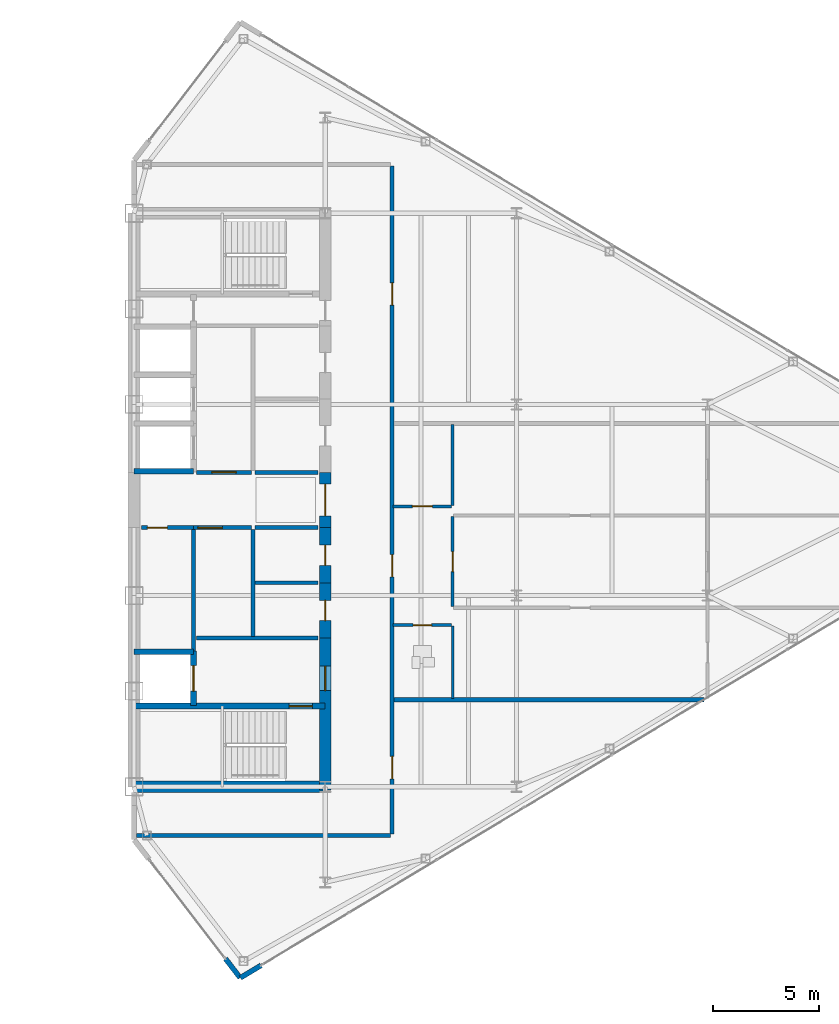
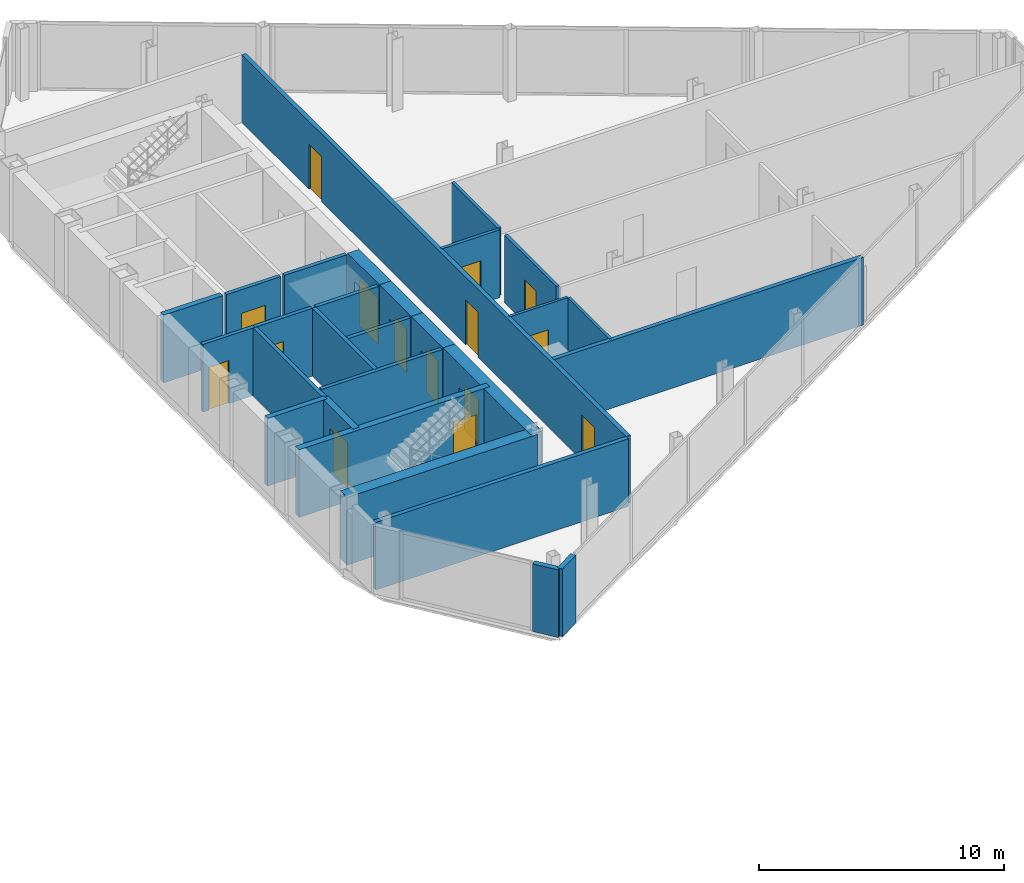
# One storey, part 21 of 25: 28 walls, 15 doors, 15 openings.
"""IFC4 building model written with IfcOpenShell, lengths in metres."""

from ifc_helpers import new_model, si_unit, direction, frame, frame_2d, origin, place, context, subcontext, project, spatial, rectangle, extrude, source, transform, mapped, material, layer, layer_set, type_object, type_shapes, element, fill, save


model = new_model("IFC4")

# Units and contexts
model_context = context("Model", 3, precision=1e-05, world=origin(), true_north=direction((0.0, 1.0)))
body_context = subcontext(model_context, "Body", "Model", "MODEL_VIEW")
ifc_project = project(units=[si_unit("LENGTHUNIT", "METRE"), si_unit("AREAUNIT", "SQUARE_METRE"), si_unit("VOLUMEUNIT", "CUBIC_METRE"), si_unit("PLANEANGLEUNIT", "RADIAN"), si_unit("MASSUNIT", "GRAM", prefix="KILO")], contexts=[model_context])

# Site, building, storey
site_placement = place(None, origin())
site = spatial("IfcSite", under=ifc_project, at=site_placement, CompositionType="ELEMENT")
building_placement = place(site_placement, origin())
building = spatial("IfcBuilding", under=site, at=building_placement, Name="Seokmaru Belvedere", CompositionType="ELEMENT")
storey_placement = place(building_placement, frame((0.0, 0.0, 206.699951171875)))
storey = spatial("IfcBuildingStorey", under=building, at=storey_placement, Name="L55", CompositionType="ELEMENT", Elevation=206.699951171875)

# Wall, opening, door
ifc_material_1 = material(Name="Fire-Rated Gypsum Shaftwall")
ifc_layer_1 = layer(ifc_material_1, 0.14990234375)
ifc_layer_set_1 = layer_set([ifc_layer_1], Name="Fire-Rated Gypsum Shaftwall")
wall_type_1 = type_object("IfcWallType", Name="Apartment Fire-Acoustic Room Partition 150", PredefinedType="PARTITIONING", material=ifc_layer_set_1)
wall_1_placement = place(storey_placement, frame((39.699951171875, -0.300048828125, 0.0), z_axis=(0.0, 0.0, 1.0), x_axis=(1.0, 0.0, 0.0)))
wall_1 = element("IfcWall", 1, at=wall_1_placement, inside=storey, type_object=wall_type_1, Name="L55 Interior Partition 012", PredefinedType="PARTITIONING", context=body_context, shape_type="SweptSolid", body=[
    extrude(rectangle(XDim=2.75, YDim=0.14990234375, at=frame_2d((1.375, 0.0))), origin(), (0.0, 0.0, 1.0), 3.380126953125),
])
opening_1_placement = place(wall_1_placement, frame((0.89990234375, 0.0, 0.0)))
opening_1 = element("IfcOpeningElement", 2, at=opening_1_placement, cuts=wall_1, Name="Opening D05", PredefinedType="OPENING", context=body_context, shape_type="SweptSolid", body=[
    extrude(rectangle(XDim=0.949951171875, YDim=2.14990234375, at=frame_2d((0.47509765625, 1.074951171875))), frame((0.0, 0.0849609375, 0.0), z_axis=(0.0, -1.0, 0.0), x_axis=(1.0, 0.0, 0.0)), (0.0, 0.0, 1.0), 0.169921875),
])
ifc_material_2 = material(Name="Engineered White Oak Timber", Category="wood")
door_type_1 = type_object("IfcDoorType", Name="Apartment Interior Fire-Rated Oak Door 950x2150", OperationType="NOTDEFINED", PredefinedType="DOOR", material=ifc_material_2)
shared_shape_1 = source(origin(), body_context, "Body", "SweptSolid", [
    extrude(rectangle(XDim=0.949951171875, YDim=2.14990234375, at=frame_2d((0.47509765625, 1.074951171875))), frame((0.0, 0.02490234375, 0.0), z_axis=(0.0, -1.0, 0.0), x_axis=(1.0, 0.0, 0.0)), (0.0, 0.0, 1.0), 0.050048828125),
])
type_shapes(door_type_1, [shared_shape_1])
door_1_placement = place(opening_1_placement, origin())
door_1 = element("IfcDoor", 3, at=door_1_placement, inside=storey, type_object=door_type_1, Name="L55 Interior Door 015", OperationType="SINGLE_SWING_RIGHT", OverallHeight=2.14990234375, OverallWidth=0.949951171875, PredefinedType="DOOR", context=body_context, shape_type="MappedRepresentation", body=[
    mapped(shared_shape_1, transform((0.0, 0.0, 0.0), scale=1.0)),
])
fill(opening_1, door_1)

wall_2_placement = place(storey_placement, frame((42.5, -5.01708984375, 0.0), z_axis=(0.0, 0.0, 1.0), x_axis=(0.0, 1.0, 0.0)))
wall_2 = element("IfcWall", 4, at=wall_2_placement, inside=storey, type_object=wall_type_1, Name="L55 Interior Partition 024", PredefinedType="PARTITIONING", context=body_context, shape_type="SweptSolid", body=[
    extrude(rectangle(XDim=4.234130859375, YDim=0.14990234375, at=frame_2d((2.1171875, 0.0))), origin(), (0.0, 0.0, 1.0), 3.380126953125),
])
opening_2_placement = place(wall_2_placement, frame((1.64208984375, 0.0, 0.0)))
opening_2 = element("IfcOpeningElement", 5, at=opening_2_placement, cuts=wall_2, Name="Opening D05", PredefinedType="OPENING", context=body_context, shape_type="SweptSolid", body=[
    extrude(rectangle(XDim=0.949951171875, YDim=2.14990234375, at=frame_2d((0.47509765625, 1.074951171875))), frame((0.0, 0.0849609375, 0.0), z_axis=(0.0, -1.0, 0.0), x_axis=(1.0, 0.0, 0.0)), (0.0, 0.0, 1.0), 0.169921875),
])
door_2_placement = place(opening_2_placement, origin())
door_2 = element("IfcDoor", 6, at=door_2_placement, inside=storey, type_object=door_type_1, Name="L55 Interior Door 016", OperationType="SINGLE_SWING_LEFT", OverallHeight=2.14990234375, OverallWidth=0.949951171875, PredefinedType="DOOR", context=body_context, shape_type="MappedRepresentation", body=[
    mapped(shared_shape_1, transform((0.0, 0.0, 0.0), scale=1.0)),
])
fill(opening_2, door_2)

# Walls
wall_3_placement = place(storey_placement, frame((42.5, -0.248046875, 0.0), z_axis=(0.0, 0.0, 1.0), x_axis=(0.0, 1.0, 0.0)))
element("IfcWall", 7, at=wall_3_placement, inside=storey, type_object=wall_type_1, Name="L55 Interior Partition 025", PredefinedType="PARTITIONING", context=body_context, shape_type="SweptSolid", body=[
    extrude(rectangle(XDim=3.798095703125, YDim=0.14990234375, at=frame_2d((1.89892578125, 0.0))), origin(), (0.0, 0.0, 1.0), 3.380126953125),
])
ifc_layer_2 = layer(ifc_material_1, 0.179931640625)
ifc_layer_set_2 = layer_set([ifc_layer_2], Name="Fire-Rated Gypsum Shaftwall")
wall_type_2 = type_object("IfcWallType", Name="Core Service Fire Partition 180", PredefinedType="PARTITIONING", material=ifc_layer_set_2)
wall_4_placement = place(storey_placement, frame((30.449951171875, -6.5, 0.0), z_axis=(0.0, 0.0, 1.0), x_axis=(1.0, 0.0, 0.0)))
element("IfcWall", 8, at=wall_4_placement, inside=storey, type_object=wall_type_2, Name="L55 East Firefighting Lobby Partition", PredefinedType="PARTITIONING", context=body_context, shape_type="SweptSolid", body=[
    extrude(rectangle(XDim=5.699951171875, YDim=0.179931640625, at=frame_2d((2.85009765625, 0.0))), origin(), (0.0, 0.0, 1.0), 3.380126953125),
])
wall_5_placement = place(storey_placement, frame((33.10009765625, -6.419921875, 0.0), z_axis=(0.0, 0.0, 1.0), x_axis=(0.0, 1.0, 0.0)))
element("IfcWall", 9, at=wall_5_placement, inside=storey, type_object=wall_type_2, Name="L55 East South Core Service Back Wall", PredefinedType="PARTITIONING", context=body_context, shape_type="SweptSolid", body=[
    extrude(rectangle(XDim=5.0400390625, YDim=0.179931640625, at=frame_2d((2.52001953125, 0.0))), origin(), (0.0, 0.0, 1.0), 3.380126953125),
])

# Wall, opening, door
wall_6_placement = place(storey_placement, frame((27.85009765625, -1.300048828125, 0.0), z_axis=(0.0, 0.0, 1.0), x_axis=(1.0, 0.0, 0.0)))
wall_6 = element("IfcWall", 10, at=wall_6_placement, inside=storey, type_object=wall_type_2, Name="L55 East South Parcel Vault Foyer Wall", PredefinedType="PARTITIONING", context=body_context, shape_type="SweptSolid", body=[
    extrude(rectangle(XDim=2.449951171875, YDim=0.179931640625, at=frame_2d((1.22509765625, 0.0))), origin(), (0.0, 0.0, 1.0), 3.380126953125),
])
opening_3_placement = place(wall_6_placement, frame((0.27490234375, 0.0, 0.0)))
opening_3 = element("IfcOpeningElement", 11, at=opening_3_placement, cuts=wall_6, Name="Opening D04", PredefinedType="OPENING", context=body_context, shape_type="SweptSolid", body=[
    extrude(rectangle(XDim=0.949951171875, YDim=2.14990234375, at=frame_2d((0.47509765625, 1.074951171875))), frame((0.0, 0.10009765625, 0.0), z_axis=(0.0, -1.0, 0.0), x_axis=(1.0, 0.0, 0.0)), (0.0, 0.0, 1.0), 0.199951171875),
])
ifc_material_3 = material(Name="Fire-Rated Steel Leaf", Category="steel")
door_type_2 = type_object("IfcDoorType", Name="Core Service Room Fire Door 950x2150", OperationType="NOTDEFINED", PredefinedType="DOOR", material=ifc_material_3)
shared_shape_2 = source(origin(), body_context, "Body", "SweptSolid", [
    extrude(rectangle(XDim=0.949951171875, YDim=2.14990234375, at=frame_2d((0.47509765625, 1.074951171875))), frame((0.0, 0.02490234375, 0.0), z_axis=(0.0, -1.0, 0.0), x_axis=(1.0, 0.0, 0.0)), (0.0, 0.0, 1.0), 0.050048828125),
])
type_shapes(door_type_2, [shared_shape_2])
door_3_placement = place(opening_3_placement, origin())
door_3 = element("IfcDoor", 12, at=door_3_placement, inside=storey, type_object=door_type_2, Name="L55 East South Parcel Vault Door", OperationType="SINGLE_SWING_RIGHT", OverallHeight=2.14990234375, OverallWidth=0.949951171875, PredefinedType="DOOR", context=body_context, shape_type="MappedRepresentation", body=[
    mapped(shared_shape_2, transform((0.0, 0.0, 0.0), scale=1.0)),
])
fill(opening_3, door_3)

wall_7_placement = place(storey_placement, frame((30.300048828125, -1.300048828125, 0.0), z_axis=(0.0, 0.0, 1.0), x_axis=(1.0, 0.0, 0.0)))
wall_7 = element("IfcWall", 13, at=wall_7_placement, inside=storey, type_object=wall_type_2, Name="L55 East South Wine Cellar Foyer Wall", PredefinedType="PARTITIONING", context=body_context, shape_type="SweptSolid", body=[
    extrude(rectangle(XDim=2.719970703125, YDim=0.179931640625, at=frame_2d((1.35986328125, 0.0))), origin(), (0.0, 0.0, 1.0), 3.380126953125),
])
opening_4_placement = place(wall_7_placement, frame((0.2099609375, 0.0, 0.0)))
opening_4 = element("IfcOpeningElement", 14, at=opening_4_placement, cuts=wall_7, Name="Opening D02", PredefinedType="OPENING", context=body_context, shape_type="SweptSolid", body=[
    extrude(rectangle(XDim=1.14990234375, YDim=2.199951171875, at=frame_2d((0.574951171875, 1.10009765625))), frame((0.0, 0.10009765625, 0.0), z_axis=(0.0, -1.0, 0.0), x_axis=(1.0, 0.0, 0.0)), (0.0, 0.0, 1.0), 0.199951171875),
])
door_type_3 = type_object("IfcDoorType", Name="Lobby and Vestibule Fire Door 1150x2200", OperationType="NOTDEFINED", PredefinedType="DOOR", material=ifc_material_3)
shared_shape_3 = source(origin(), body_context, "Body", "SweptSolid", [
    extrude(rectangle(XDim=1.14990234375, YDim=2.199951171875, at=frame_2d((0.574951171875, 1.10009765625))), frame((0.0, 0.02490234375, 0.0), z_axis=(0.0, -1.0, 0.0), x_axis=(1.0, 0.0, 0.0)), (0.0, 0.0, 1.0), 0.050048828125),
])
type_shapes(door_type_3, [shared_shape_3])
door_4_placement = place(opening_4_placement, origin())
door_4 = element("IfcDoor", 15, at=door_4_placement, inside=storey, type_object=door_type_3, Name="L55 East South Core Foyer Door", OperationType="SINGLE_SWING_RIGHT", OverallHeight=2.199951171875, OverallWidth=1.14990234375, PredefinedType="DOOR", context=body_context, shape_type="MappedRepresentation", body=[
    mapped(shared_shape_3, transform((0.0, 0.0, 0.0), scale=1.0)),
])
fill(opening_4, door_4)

# Wall
wall_8_placement = place(storey_placement, frame((30.300048828125, -7.1201171875, 0.0), z_axis=(0.0, 0.0, 1.0), x_axis=(0.0, 1.0, 0.0)))
element("IfcWall", 16, at=wall_8_placement, inside=storey, type_object=wall_type_2, Name="L55 East Freed Shaft Vault Partition", PredefinedType="PARTITIONING", context=body_context, shape_type="SweptSolid", body=[
    extrude(rectangle(XDim=5.740234375, YDim=0.179931640625, at=frame_2d((2.8701171875, 0.0))), origin(), (0.0, 0.0, 1.0), 3.380126953125),
])

# Wall, opening, door
wall_9_placement = place(storey_placement, frame((30.449951171875, 1.300048828125, 0.0), z_axis=(0.0, 0.0, 1.0), x_axis=(1.0, 0.0, 0.0)))
wall_9 = element("IfcWall", 17, at=wall_9_placement, inside=storey, type_object=wall_type_2, Name="L55 East North Lift Lobby Foyer Wall", PredefinedType="PARTITIONING", context=body_context, shape_type="SweptSolid", body=[
    extrude(rectangle(XDim=2.570068359375, YDim=0.179931640625, at=frame_2d((1.28515625, 0.0))), origin(), (0.0, 0.0, 1.0), 3.380126953125),
])
opening_5_placement = place(wall_9_placement, frame((0.7099609375, 0.0, 0.0)))
opening_5 = element("IfcOpeningElement", 18, at=opening_5_placement, cuts=wall_9, Name="Opening D02", PredefinedType="OPENING", context=body_context, shape_type="SweptSolid", body=[
    extrude(rectangle(XDim=1.14990234375, YDim=2.199951171875, at=frame_2d((0.574951171875, 1.10009765625))), frame((0.0, 0.10009765625, 0.0), z_axis=(0.0, -1.0, 0.0), x_axis=(1.0, 0.0, 0.0)), (0.0, 0.0, 1.0), 0.199951171875),
])
door_5_placement = place(opening_5_placement, origin())
door_5 = element("IfcDoor", 19, at=door_5_placement, inside=storey, type_object=door_type_3, Name="L55 East North Lift Lobby Door", OperationType="SINGLE_SWING_LEFT", OverallHeight=2.199951171875, OverallWidth=1.14990234375, PredefinedType="DOOR", context=body_context, shape_type="MappedRepresentation", body=[
    mapped(shared_shape_3, transform((0.0, 0.0, 0.0), scale=1.0)),
])
fill(opening_5, door_5)

# Walls
for number, where, z_axis, x_axis, name in (
    (20, (33.199951171875, -1.300048828125, 0.0), (0.0, 0.0, 1.0), (1.0, 0.0, 0.0), "L55 East Foyer Side Wall S"),
    (21, (33.199951171875, 1.300048828125, 0.0), (0.0, 0.0, 1.0), (1.0, 0.0, 0.0), "L55 East Foyer Side Wall N"),
    (22, (33.199951171875, -3.89990234375, 0.0), (0.0, 0.0, 1.0), (1.0, 0.0, 0.0), "L55 East Core Service Partition 1"),
):
    element("IfcWall", number, at=place(storey_placement, frame(where, z_axis=z_axis, x_axis=x_axis)), inside=storey, type_object=wall_type_2, Name=name, PredefinedType="PARTITIONING", context=body_context, shape_type="SweptSolid", body=[
        extrude(rectangle(XDim=2.949951171875, YDim=0.179931640625, at=frame_2d((1.47509765625, 0.0))), origin(), (0.0, 0.0, 1.0), 3.380126953125),
    ])
ifc_material_4 = material(Name="Concrete C50 (50 MPa)", Category="concrete")
ifc_layer_3 = layer(ifc_material_4, 0.25)
ifc_layer_set_3 = layer_set([ifc_layer_3], Name="Concrete C50 (50 MPa)")
wall_type_3 = type_object("IfcWallType", Name="Hoistway Transverse Concrete Divider Wall 250", PredefinedType="SHEAR", material=ifc_layer_set_3)
for number, where, z_axis, x_axis, name in (
    (23, (27.5, -7.14990234375, 0.0), (0.0, 0.0, 1.0), (1.0, 0.0, 0.0), "L55 East Hoistway Divider Core Wall 1"),
    (24, (27.5, 1.35009765625, 0.0), (0.0, 0.0, 1.0), (1.0, 0.0, 0.0), "L55 East Hoistway Divider Core Wall 2"),
):
    element("IfcWall", number, at=place(storey_placement, frame(where, z_axis=z_axis, x_axis=x_axis)), inside=storey, type_object=wall_type_3, Name=name, PredefinedType="SHEAR", context=body_context, shape_type="SweptSolid", body=[
        extrude(rectangle(XDim=2.800048828125, YDim=0.25, at=frame_2d((1.39990234375, 0.0))), origin(), (0.0, 0.0, 1.0), 3.380126953125),
    ])
ifc_layer_4 = layer(ifc_material_1, 0.199951171875)
ifc_layer_set_4 = layer_set([ifc_layer_4], Name="Fire-Rated Gypsum Shaftwall")
wall_type_4 = type_object("IfcWallType", Name="Inter-Tenancy Fire Compartment Partition 200", PredefinedType="PARTITIONING", material=ifc_layer_set_4)
wall_10_placement = place(storey_placement, frame((27.625, -15.800048828125, 0.0), z_axis=(0.0, 0.0, 1.0), x_axis=(1.0, 0.0, 0.0)))
element("IfcWall", 25, at=wall_10_placement, inside=storey, type_object=wall_type_4, Name="L55 Interior Partition 002", PredefinedType="PARTITIONING", context=body_context, shape_type="SweptSolid", body=[
    extrude(rectangle(XDim=11.93994140625, YDim=0.199951171875, at=frame_2d((5.969970703125, 0.0))), origin(), (0.0, 0.0, 1.0), 3.380126953125),
])
wall_11_placement = place(storey_placement, frame((39.72998046875, -9.39990234375, 0.0), z_axis=(0.0, 0.0, 1.0), x_axis=(1.0, 0.0, 0.0)))
element("IfcWall", 26, at=wall_11_placement, inside=storey, type_object=wall_type_4, Name="L55 Interior Partition 004", PredefinedType="PARTITIONING", context=body_context, shape_type="SweptSolid", body=[
    extrude(rectangle(XDim=14.613037109375, YDim=0.199951171875, at=frame_2d((7.306640625, 0.0))), origin(), (0.0, 0.0, 1.0), 3.380126953125),
])

# Wall, openings, doors
wall_12_placement = place(storey_placement, frame((39.64990234375, -15.715087890625, 0.0), z_axis=(0.0, 0.0, 1.0), x_axis=(0.0, 1.0, 0.0)))
wall_12 = element("IfcWall", 27, at=wall_12_placement, inside=storey, type_object=wall_type_4, Name="L55 Interior Partition 022", PredefinedType="PARTITIONING", context=body_context, shape_type="SweptSolid", body=[
    extrude(rectangle(XDim=31.43017578125, YDim=0.199951171875, at=frame_2d((15.715087890625, 0.0))), origin(), (0.0, 0.0, 1.0), 3.380126953125),
])
opening_6_placement = place(wall_12_placement, frame((2.590087890625, 0.0, 0.0)))
opening_6 = element("IfcOpeningElement", 28, at=opening_6_placement, cuts=wall_12, Name="Opening D03", PredefinedType="OPENING", context=body_context, shape_type="SweptSolid", body=[
    extrude(rectangle(XDim=1.050048828125, YDim=2.25, at=frame_2d((0.52490234375, 1.125))), frame((0.0, 0.10986328125, 0.0), z_axis=(0.0, -1.0, 0.0), x_axis=(1.0, 0.0, 0.0)), (0.0, 0.0, 1.0), 0.219970703125),
])
opening_7_placement = place(wall_12_placement, frame((12.094970703125, 0.0, 0.0)))
opening_7 = element("IfcOpeningElement", 29, at=opening_7_placement, cuts=wall_12, Name="Opening D03", PredefinedType="OPENING", context=body_context, shape_type="SweptSolid", body=[
    extrude(rectangle(XDim=1.050048828125, YDim=2.25, at=frame_2d((0.52490234375, 1.125))), frame((0.0, 0.10986328125, 0.0), z_axis=(0.0, -1.0, 0.0), x_axis=(1.0, 0.0, 0.0)), (0.0, 0.0, 1.0), 0.219970703125),
])
opening_8_placement = place(wall_12_placement, frame((24.889892578125, 0.0, 0.0)))
opening_8 = element("IfcOpeningElement", 30, at=opening_8_placement, cuts=wall_12, Name="Opening D03", PredefinedType="OPENING", context=body_context, shape_type="SweptSolid", body=[
    extrude(rectangle(XDim=1.050048828125, YDim=2.25, at=frame_2d((0.52490234375, 1.125))), frame((0.0, 0.10986328125, 0.0), z_axis=(0.0, -1.0, 0.0), x_axis=(1.0, 0.0, 0.0)), (0.0, 0.0, 1.0), 0.219970703125),
])
door_type_4 = type_object("IfcDoorType", Name="Apartment Entrance Fire Door 1050x2250", OperationType="NOTDEFINED", PredefinedType="DOOR", material=ifc_material_3)
shared_shape_4 = source(origin(), body_context, "Body", "SweptSolid", [
    extrude(rectangle(XDim=1.050048828125, YDim=2.25, at=frame_2d((0.52490234375, 1.125))), frame((0.0, 0.02490234375, 0.0), z_axis=(0.0, -1.0, 0.0), x_axis=(1.0, 0.0, 0.0)), (0.0, 0.0, 1.0), 0.050048828125),
])
type_shapes(door_type_4, [shared_shape_4])
door_6_placement = place(opening_6_placement, origin())
door_6 = element("IfcDoor", 31, at=door_6_placement, inside=storey, type_object=door_type_4, Name="L55 Interior Door 012", OperationType="SINGLE_SWING_LEFT", OverallHeight=2.25, OverallWidth=1.050048828125, PredefinedType="DOOR", context=body_context, shape_type="MappedRepresentation", body=[
    mapped(shared_shape_4, transform((0.0, 0.0, 0.0), scale=1.0)),
])
fill(opening_6, door_6)
door_7_placement = place(opening_7_placement, origin())
door_7 = element("IfcDoor", 32, at=door_7_placement, inside=storey, type_object=door_type_4, Name="L55 Interior Door 013", OperationType="SINGLE_SWING_RIGHT", OverallHeight=2.25, OverallWidth=1.050048828125, PredefinedType="DOOR", context=body_context, shape_type="MappedRepresentation", body=[
    mapped(shared_shape_4, transform((0.0, 0.0, 0.0), scale=1.0)),
])
fill(opening_7, door_7)
door_8_placement = place(opening_8_placement, origin())
door_8 = element("IfcDoor", 33, at=door_8_placement, inside=storey, type_object=door_type_4, Name="L55 Interior Door 022", OperationType="SINGLE_SWING_LEFT", OverallHeight=2.25, OverallWidth=1.050048828125, PredefinedType="DOOR", context=body_context, shape_type="MappedRepresentation", body=[
    mapped(shared_shape_4, transform((0.0, 0.0, 0.0), scale=1.0)),
])
fill(opening_8, door_8)

# Wall, opening, door
ifc_layer_5 = layer(ifc_material_4, 0.300048828125)
ifc_layer_set_5 = layer_set([ifc_layer_5], Name="Concrete C50 (50 MPa)")
wall_type_5 = type_object("IfcWallType", Name="Internal Core Stair and Hoistway Wall 300", PredefinedType="SHEAR", material=ifc_layer_set_5)
wall_13_placement = place(storey_placement, frame((27.5, -9.699951171875, 0.0), z_axis=(0.0, 0.0, 1.0), x_axis=(1.0, 0.0, 0.0)))
wall_13 = element("IfcWall", 34, at=wall_13_placement, inside=storey, type_object=wall_type_5, Name="L55 East Stair ST-1 Enclosure Wall", PredefinedType="SHEAR", context=body_context, shape_type="SweptSolid", body=[
    extrude(rectangle(XDim=9.0, YDim=0.300048828125, at=frame_2d((4.5, 0.0))), origin(), (0.0, 0.0, 1.0), 3.380126953125),
])
opening_9_placement = place(wall_13_placement, frame((7.300048828125, 0.0, 0.0)))
opening_9 = element("IfcOpeningElement", 35, at=opening_9_placement, cuts=wall_13, Name="Opening D01", PredefinedType="OPENING", context=body_context, shape_type="SweptSolid", body=[
    extrude(rectangle(XDim=1.10009765625, YDim=2.199951171875, at=frame_2d((0.550048828125, 1.10009765625))), frame((0.0, 0.16015625, 0.0), z_axis=(0.0, -1.0, 0.0), x_axis=(1.0, 0.0, 0.0)), (0.0, 0.0, 1.0), 0.320068359375),
])
door_type_5 = type_object("IfcDoorType", Name="Special Escape Stair Smokeproof Fire Door 1100x2200", OperationType="NOTDEFINED", PredefinedType="DOOR", material=ifc_material_3)
shared_shape_5 = source(origin(), body_context, "Body", "SweptSolid", [
    extrude(rectangle(XDim=1.10009765625, YDim=2.199951171875, at=frame_2d((0.550048828125, 1.10009765625))), frame((0.0, 0.02490234375, 0.0), z_axis=(0.0, -1.0, 0.0), x_axis=(1.0, 0.0, 0.0)), (0.0, 0.0, 1.0), 0.050048828125),
])
type_shapes(door_type_5, [shared_shape_5])
door_9_placement = place(opening_9_placement, frame((1.10009765625, 0.0, 0.0), z_axis=(0.0, 0.0, 1.0), x_axis=(-1.0, 0.0, 0.0)))
door_9 = element("IfcDoor", 36, at=door_9_placement, inside=storey, type_object=door_type_5, Name="L55 East Special Escape Stair ST-1 Door", OperationType="SINGLE_SWING_RIGHT", OverallHeight=2.199951171875, OverallWidth=1.10009765625, PredefinedType="DOOR", context=body_context, shape_type="MappedRepresentation", body=[
    mapped(shared_shape_5, transform((0.0, 0.0, 0.0), scale=1.0)),
])
fill(opening_9, door_9)

wall_14_placement = place(storey_placement, frame((30.300048828125, -9.679931640625, 0.0), z_axis=(0.0, 0.0, 1.0), x_axis=(0.0, 1.0, 0.0)))
wall_14 = element("IfcWall", 37, at=wall_14_placement, inside=storey, type_object=wall_type_5, Name="L55 East Firefighting Lift Shaft Front Wall", PredefinedType="SHEAR", context=body_context, shape_type="SweptSolid", body=[
    extrude(rectangle(XDim=2.559814453125, YDim=0.300048828125, at=frame_2d((1.27978515625, 0.0))), origin(), (0.0, 0.0, 1.0), 3.380126953125),
])
opening_10_placement = place(wall_14_placement, frame((0.679931640625, 0.0, 0.0)))
opening_10 = element("IfcOpeningElement", 38, at=opening_10_placement, cuts=wall_14, Name="Opening LD2", PredefinedType="OPENING", context=body_context, shape_type="SweptSolid", body=[
    extrude(rectangle(XDim=1.199951171875, YDim=2.25, at=frame_2d((0.60009765625, 1.125))), frame((0.0, 0.16015625, 0.0), z_axis=(0.0, -1.0, 0.0), x_axis=(1.0, 0.0, 0.0)), (0.0, 0.0, 1.0), 0.320068359375),
])
ifc_material_5 = material(Name="Stainless Steel 316", Category="steel")
door_type_6 = type_object("IfcDoorType", Name="Firefighting Lift Sliding Landing Door 1200x2250", OperationType="DOUBLE_DOOR_SLIDING", PredefinedType="DOOR", material=ifc_material_5)
shared_shape_6 = source(origin(), body_context, "Body", "SweptSolid", [
    extrude(rectangle(XDim=1.199951171875, YDim=2.25, at=frame_2d((0.60009765625, 1.125))), frame((0.0, 0.02490234375, 0.0), z_axis=(0.0, -1.0, 0.0), x_axis=(1.0, 0.0, 0.0)), (0.0, 0.0, 1.0), 0.050048828125),
])
type_shapes(door_type_6, [shared_shape_6])
door_10_placement = place(opening_10_placement, origin())
door_10 = element("IfcDoor", 39, at=door_10_placement, inside=storey, type_object=door_type_6, Name="L55 East Firefighting Lift Landing Door", OperationType="DOUBLE_DOOR_SLIDING", OverallHeight=2.25, OverallWidth=1.199951171875, PredefinedType="DOOR", context=body_context, shape_type="MappedRepresentation", body=[
    mapped(shared_shape_6, transform((0.0, 0.0, 0.0), scale=1.0)),
])
fill(opening_10, door_10)

# Wall
ifc_layer_6 = layer(ifc_material_4, 0.550048828125)
ifc_layer_set_6 = layer_set([ifc_layer_6], Name="Concrete C50 (50 MPa)")
wall_type_6 = type_object("IfcWallType", Name="Mid-High Reinforced Concrete Core Wall 550", PredefinedType="SHEAR", material=ifc_layer_set_6)
wall_15_placement = place(storey_placement, frame((27.5, -13.5, 0.0), z_axis=(0.0, 0.0, 1.0), x_axis=(1.0, 0.0, 0.0)))
element("IfcWall", 40, at=wall_15_placement, inside=storey, type_object=wall_type_6, Name="L55 East South Core Wall", PredefinedType="SHEAR", context=body_context, shape_type="SweptSolid", body=[
    extrude(rectangle(XDim=9.0, YDim=0.550048828125, at=frame_2d((4.5, 0.0))), origin(), (0.0, 0.0, 1.0), 3.380126953125),
])

# Wall, opening, door
wall_16_placement = place(storey_placement, frame((36.5, -13.64990234375, 0.0), z_axis=(0.0, 0.0, 1.0), x_axis=(0.0, 1.0, 0.0)))
wall_16 = element("IfcWall", 41, at=wall_16_placement, inside=storey, type_object=wall_type_6, Name="L55 East West Core Wall FF", PredefinedType="SHEAR", context=body_context, shape_type="SweptSolid", body=[
    extrude(rectangle(XDim=7.14990234375, YDim=0.550048828125, at=frame_2d((3.574951171875, 0.0))), origin(), (0.0, 0.0, 1.0), 3.380126953125),
])
opening_11_placement = place(wall_16_placement, frame((4.675048828125, 0.0, 0.0)))
opening_11 = element("IfcOpeningElement", 42, at=opening_11_placement, cuts=wall_16, Name="Opening D02", PredefinedType="OPENING", context=body_context, shape_type="SweptSolid", body=[
    extrude(rectangle(XDim=1.14990234375, YDim=2.199951171875, at=frame_2d((0.574951171875, 1.10009765625))), frame((0.0, 0.28515625, 0.0), z_axis=(0.0, -1.0, 0.0), x_axis=(1.0, 0.0, 0.0)), (0.0, 0.0, 1.0), 0.570068359375),
])
door_11_placement = place(opening_11_placement, origin())
door_11 = element("IfcDoor", 43, at=door_11_placement, inside=storey, type_object=door_type_3, Name="L55 East Firefighting Lobby Door", OperationType="SINGLE_SWING_RIGHT", OverallHeight=2.199951171875, OverallWidth=1.14990234375, PredefinedType="DOOR", context=body_context, shape_type="MappedRepresentation", body=[
    mapped(shared_shape_3, transform((0.0, 0.0, 0.0), scale=1.0)),
])
fill(opening_11, door_11)

wall_17_placement = place(storey_placement, frame((36.5, -1.300048828125, 0.0), z_axis=(0.0, 0.0, 1.0), x_axis=(0.0, 1.0, 0.0)))
wall_17 = element("IfcWall", 44, at=wall_17_placement, inside=storey, type_object=wall_type_6, Name="L55 East West Core Wall FOY", PredefinedType="SHEAR", context=body_context, shape_type="SweptSolid", body=[
    extrude(rectangle(XDim=2.60009765625, YDim=0.550048828125, at=frame_2d((1.300048828125, 0.0))), origin(), (0.0, 0.0, 1.0), 3.380126953125),
])
opening_12_placement = place(wall_17_placement, frame((0.550048828125, 0.0, 0.0)))
opening_12 = element("IfcOpeningElement", 45, at=opening_12_placement, cuts=wall_17, Name="Opening D08", PredefinedType="OPENING", context=body_context, shape_type="SweptSolid", body=[
    extrude(rectangle(XDim=1.5, YDim=2.300048828125, at=frame_2d((0.75, 1.14990234375))), frame((0.0, 0.28515625, 0.0), z_axis=(0.0, -1.0, 0.0), x_axis=(1.0, 0.0, 0.0)), (0.0, 0.0, 1.0), 0.570068359375),
])
door_type_7 = type_object("IfcDoorType", Name="Cross-Corridor Compartment Double Fire Door 1500x2300", OperationType="DOUBLE_SWING_LEFT", PredefinedType="DOOR", material=ifc_material_3)
shared_shape_7 = source(origin(), body_context, "Body", "SweptSolid", [
    extrude(rectangle(XDim=1.5, YDim=2.300048828125, at=frame_2d((0.75, 1.14990234375))), frame((0.0, 0.02490234375, 0.0), z_axis=(0.0, -1.0, 0.0), x_axis=(1.0, 0.0, 0.0)), (0.0, 0.0, 1.0), 0.050048828125),
])
type_shapes(door_type_7, [shared_shape_7])
door_12_placement = place(opening_12_placement, origin())
door_12 = element("IfcDoor", 46, at=door_12_placement, inside=storey, type_object=door_type_7, Name="L55 East Core Foyer Compartment Door", OperationType="DOUBLE_SWING_LEFT", OverallHeight=2.300048828125, OverallWidth=1.5, PredefinedType="DOOR", context=body_context, shape_type="MappedRepresentation", body=[
    mapped(shared_shape_7, transform((0.0, 0.0, 0.0), scale=1.0)),
])
fill(opening_12, door_12)

wall_18_placement = place(storey_placement, frame((36.5, -6.5, 0.0), z_axis=(0.0, 0.0, 1.0), x_axis=(0.0, 1.0, 0.0)))
wall_18 = element("IfcWall", 47, at=wall_18_placement, inside=storey, type_object=wall_type_6, Name="L55 East West Core Wall CS1", PredefinedType="SHEAR", context=body_context, shape_type="SweptSolid", body=[
    extrude(rectangle(XDim=2.60009765625, YDim=0.550048828125, at=frame_2d((1.300048828125, 0.0))), origin(), (0.0, 0.0, 1.0), 3.380126953125),
])
opening_13_placement = place(wall_18_placement, frame((0.824951171875, 0.0, 0.0)))
opening_13 = element("IfcOpeningElement", 48, at=opening_13_placement, cuts=wall_18, Name="Opening D04", PredefinedType="OPENING", context=body_context, shape_type="SweptSolid", body=[
    extrude(rectangle(XDim=0.949951171875, YDim=2.14990234375, at=frame_2d((0.47509765625, 1.074951171875))), frame((0.0, 0.28515625, 0.0), z_axis=(0.0, -1.0, 0.0), x_axis=(1.0, 0.0, 0.0)), (0.0, 0.0, 1.0), 0.570068359375),
])
door_13_placement = place(opening_13_placement, origin())
door_13 = element("IfcDoor", 49, at=door_13_placement, inside=storey, type_object=door_type_2, Name="L55 East Core Service Room Door 1", OperationType="SINGLE_SWING_RIGHT", OverallHeight=2.14990234375, OverallWidth=0.949951171875, PredefinedType="DOOR", context=body_context, shape_type="MappedRepresentation", body=[
    mapped(shared_shape_2, transform((0.0, 0.0, 0.0), scale=1.0)),
])
fill(opening_13, door_13)

wall_19_placement = place(storey_placement, frame((36.5, -3.89990234375, 0.0), z_axis=(0.0, 0.0, 1.0), x_axis=(0.0, 1.0, 0.0)))
wall_19 = element("IfcWall", 50, at=wall_19_placement, inside=storey, type_object=wall_type_6, Name="L55 East West Core Wall CS2", PredefinedType="SHEAR", context=body_context, shape_type="SweptSolid", body=[
    extrude(rectangle(XDim=2.599853515625, YDim=0.550048828125, at=frame_2d((1.2998046875, 0.0))), origin(), (0.0, 0.0, 1.0), 3.380126953125),
])
opening_14_placement = place(wall_19_placement, frame((0.824951171875, 0.0, 0.0)))
opening_14 = element("IfcOpeningElement", 51, at=opening_14_placement, cuts=wall_19, Name="Opening D04", PredefinedType="OPENING", context=body_context, shape_type="SweptSolid", body=[
    extrude(rectangle(XDim=0.949951171875, YDim=2.14990234375, at=frame_2d((0.47509765625, 1.074951171875))), frame((0.0, 0.28515625, 0.0), z_axis=(0.0, -1.0, 0.0), x_axis=(1.0, 0.0, 0.0)), (0.0, 0.0, 1.0), 0.570068359375),
])
door_14_placement = place(opening_14_placement, origin())
door_14 = element("IfcDoor", 52, at=door_14_placement, inside=storey, type_object=door_type_2, Name="L55 East Core Service Room Door 2", OperationType="SINGLE_SWING_LEFT", OverallHeight=2.14990234375, OverallWidth=0.949951171875, PredefinedType="DOOR", context=body_context, shape_type="MappedRepresentation", body=[
    mapped(shared_shape_2, transform((0.0, 0.0, 0.0), scale=1.0)),
])
fill(opening_14, door_14)

ifc_layer_7 = layer(ifc_material_1, 0.1298828125)
ifc_layer_set_7 = layer_set([ifc_layer_7], Name="Fire-Rated Gypsum Shaftwall")
wall_type_7 = type_object("IfcWallType", Name="Moisture-Resistant Fire-Rated Bathroom Partition 130", PredefinedType="PARTITIONING", material=ifc_layer_set_7)
wall_20_placement = place(storey_placement, frame((39.699951171875, -5.889892578125, 0.0), z_axis=(0.0, 0.0, 1.0), x_axis=(1.0, 0.0, 0.0)))
wall_20 = element("IfcWall", 53, at=wall_20_placement, inside=storey, type_object=wall_type_7, Name="L55 Interior Partition 006", PredefinedType="PARTITIONING", context=body_context, shape_type="SweptSolid", body=[
    extrude(rectangle(XDim=2.75, YDim=0.1298828125, at=frame_2d((1.375, 0.0))), origin(), (0.0, 0.0, 1.0), 3.380126953125),
])
opening_15_placement = place(wall_20_placement, frame((0.93505859375, 0.0, 0.0)))
opening_15 = element("IfcOpeningElement", 54, at=opening_15_placement, cuts=wall_20, Name="Opening D06", PredefinedType="OPENING", context=body_context, shape_type="SweptSolid", body=[
    extrude(rectangle(XDim=0.8798828125, YDim=2.10009765625, at=frame_2d((0.43994140625, 1.050048828125))), frame((0.0, 0.074951171875, 0.0), z_axis=(0.0, -1.0, 0.0), x_axis=(1.0, 0.0, 0.0)), (0.0, 0.0, 1.0), 0.14990234375),
])
door_type_8 = type_object("IfcDoorType", Name="Bathroom and Restroom Fire-Rated Door 880x2100", OperationType="NOTDEFINED", PredefinedType="DOOR", material=ifc_material_2)
shared_shape_8 = source(origin(), body_context, "Body", "SweptSolid", [
    extrude(rectangle(XDim=0.8798828125, YDim=2.10009765625, at=frame_2d((0.43994140625, 1.050048828125))), frame((0.0, 0.02490234375, 0.0), z_axis=(0.0, -1.0, 0.0), x_axis=(1.0, 0.0, 0.0)), (0.0, 0.0, 1.0), 0.050048828125),
])
type_shapes(door_type_8, [shared_shape_8])
door_15_placement = place(opening_15_placement, origin())
door_15 = element("IfcDoor", 55, at=door_15_placement, inside=storey, type_object=door_type_8, Name="L55 Interior Door 014", OperationType="SINGLE_SWING_RIGHT", OverallHeight=2.10009765625, OverallWidth=0.8798828125, PredefinedType="DOOR", context=body_context, shape_type="MappedRepresentation", body=[
    mapped(shared_shape_8, transform((0.0, 0.0, 0.0), scale=1.0)),
])
fill(opening_15, door_15)

# Walls
wall_21_placement = place(storey_placement, frame((42.5, -9.35009765625, 0.0), z_axis=(0.0, 0.0, 1.0), x_axis=(0.0, 1.0, 0.0)))
element("IfcWall", 56, at=wall_21_placement, inside=storey, type_object=wall_type_7, Name="L55 Interior Partition 023", PredefinedType="PARTITIONING", context=body_context, shape_type="SweptSolid", body=[
    extrude(rectangle(XDim=3.408203125, YDim=0.1298828125, at=frame_2d((1.7041015625, 0.0))), origin(), (0.0, 0.0, 1.0), 3.380126953125),
])
ifc_material_6 = material(Name="Anodised Bronze Aluminium", Category="aluminium")
ifc_layer_8 = layer(ifc_material_6, 0.239990234375)
ifc_layer_set_8 = layer_set([ifc_layer_8], Name="Anodised Bronze Aluminium")
wall_type_8 = type_object("IfcWallType", Name="Tower Corner Spandrel Closure Wall 240", PredefinedType="SOLIDWALL", material=ifc_layer_set_8)
for number, where, z_axis, x_axis, name in (
    (57, (32.508544921875, -22.494873046875, 0.0), (0.0, 0.0, 1.0), (0.85743623509, 0.514590228002, 0.0), "L55 E Corner Closure Pier 1A"),
    (58, (31.798828125, -21.58837890625, 0.0), (0.0, 0.0, 1.0), (0.609617623633, -0.792695624408, 0.0), "L55 E Corner Closure Pier 6B"),
):
    element("IfcWall", number, at=place(storey_placement, frame(where, z_axis=z_axis, x_axis=x_axis)), inside=storey, type_object=wall_type_8, Name=name, PredefinedType="SOLIDWALL", context=body_context, shape_type="SweptSolid", body=[
        extrude(rectangle(XDim=1.14013671875, YDim=0.239990234375, at=frame_2d((0.570068359375, 0.0))), origin(), (0.0, 0.0, 1.0), 3.380126953125),
    ])

save(model, "model.ifc")
